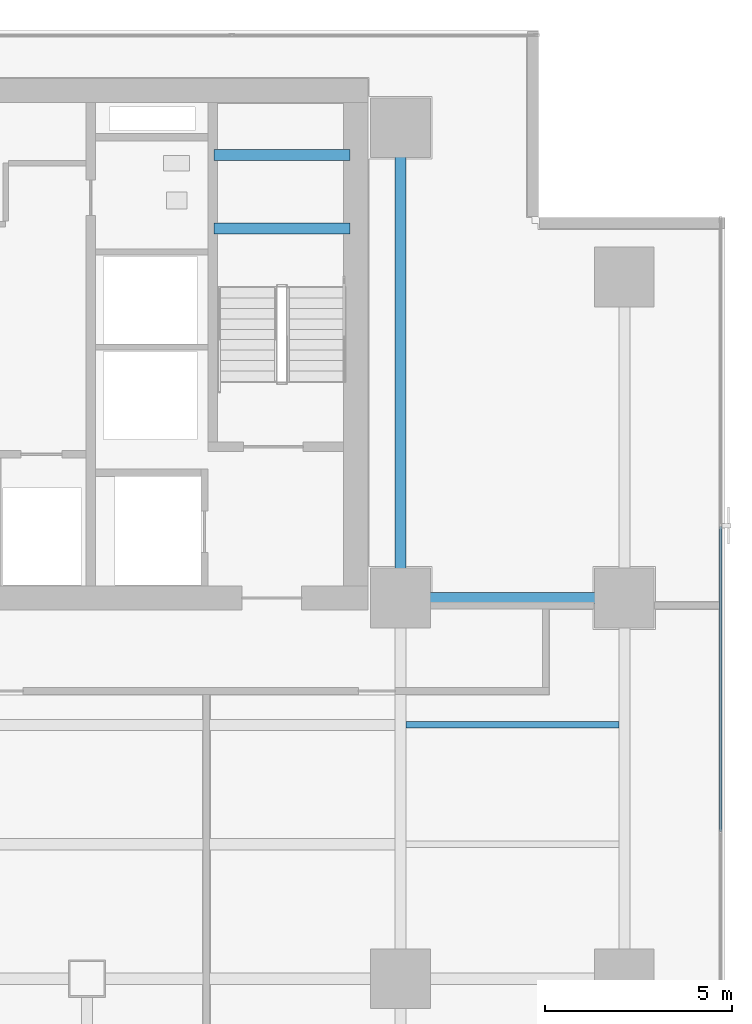
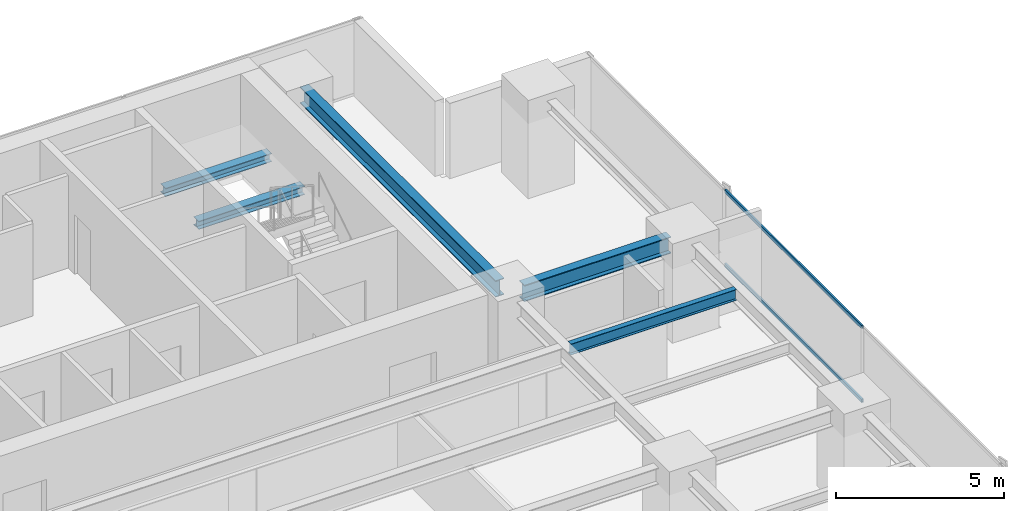
# One storey, part 23 of 37: 5 beams, 2 members, 1 element without a shape of its own.
"""IFC4 building model written with IfcOpenShell, lengths in metres."""

from ifc_helpers import new_model, si_unit, direction, frame, origin, origin_2d, place, context, subcontext, project, spatial, hollow_rectangle, i_section, extrude, source, transform, mapped, material, layer, layer_set, material_profile, profile_set, type_object, element, aggregate, save


model = new_model("IFC4")

# Units and contexts
model_context = context("Model", 3, precision=1e-05, world=origin(), true_north=direction((0.0, 1.0)))
body_context = subcontext(model_context, "Body", "Model", "MODEL_VIEW")
ifc_project = project(units=[si_unit("LENGTHUNIT", "METRE"), si_unit("AREAUNIT", "SQUARE_METRE"), si_unit("VOLUMEUNIT", "CUBIC_METRE"), si_unit("PLANEANGLEUNIT", "RADIAN"), si_unit("MASSUNIT", "GRAM", prefix="KILO")], contexts=[model_context])

# Site, building, storey
site_placement = place(None, origin())
site = spatial("IfcSite", under=ifc_project, at=site_placement, CompositionType="ELEMENT")
building_placement = place(site_placement, origin())
building = spatial("IfcBuilding", under=site, at=building_placement, Name="Sumidabori Civic Tower", CompositionType="ELEMENT")
storey_placement = place(building_placement, frame((0.0, 0.0, 117.199951171875)))
storey = spatial("IfcBuildingStorey", under=building, at=storey_placement, Name="L30", CompositionType="ELEMENT", Elevation=117.199951171875)

# Beams
ifc_material_1 = material(Name="Steel SN490", Category="steel")
ifc_material_profile_1 = material_profile(ifc_material_1, i_section(OverallWidth=0.300048828125, OverallDepth=0.300048828125, WebThickness=0.010986328125, FlangeThickness=0.01904296875, at=origin_2d()), Name="HE 300 B")
ifc_profile_set_1 = profile_set([ifc_material_profile_1], Name="Steel SN490")
beam_type_1 = type_object("IfcBeamType", Name="BM-LDG-300", PredefinedType="BEAM", material=ifc_profile_set_1)
shared_shape_1 = source(origin(), body_context, "Body", "SweptSolid", [
    extrude(i_section(OverallWidth=0.300048828125, OverallDepth=0.300048828125, WebThickness=0.010986328125, FlangeThickness=0.01904296875, at=origin_2d()), origin(), (0.0, 0.0, 1.0), 3.64990234375),
])
for number, where, z_axis, x_axis, name in (
    (1, (11.800048828125, 20.09765625, 1.449951171875), (1.0, 0.0, 0.0), (0.0, 1.0, 0.0), "Stair ST-2 Landing Support Beam L30-1A"),
    (2, (11.800048828125, 22.069580078125, 1.449951171875), (1.0, 0.0, 0.0), (0.0, 1.0, 0.0), "Stair ST-2 Landing Trimmer Beam L30-1B"),
):
    element("IfcBeam", number, at=place(storey_placement, frame(where, z_axis=z_axis, x_axis=x_axis)), inside=storey, type_object=beam_type_1, Name=name, PredefinedType="BEAM", context=body_context, shape_type="MappedRepresentation", body=[
        mapped(shared_shape_1, transform((0.0, 0.0, 0.0), x_axis=(1.0, 0.0, 0.0), y_axis=(0.0, 1.0, 0.0), z_axis=(0.0, 0.0, 1.0), scale=1.0)),
    ])
ifc_material_profile_2 = material_profile(ifc_material_1, i_section(OverallWidth=0.300048828125, OverallDepth=0.60009765625, WebThickness=0.015380859375, FlangeThickness=0.030029296875, at=origin_2d()), Name="HE 600 B")
ifc_profile_set_2 = profile_set([ifc_material_profile_2], Name="Steel SN490")
beam_type_2 = type_object("IfcBeamType", Name="BM-GIRD-600", PredefinedType="BEAM", material=ifc_profile_set_2)
shared_shape_2 = source(origin(), body_context, "Body", "SweptSolid", [
    extrude(i_section(OverallWidth=0.300048828125, OverallDepth=0.60009765625, WebThickness=0.015380859375, FlangeThickness=0.030029296875, at=origin_2d()), origin(), (0.0, 0.0, 1.0), 5.0400390625),
])
beam_1_placement = place(storey_placement, frame((17.280029296875, 10.199951171875, 3.06005859375), z_axis=(1.0, 0.0, 0.0), x_axis=(0.0, 1.0, 0.0)))
element("IfcBeam", 3, at=beam_1_placement, inside=storey, type_object=beam_type_2, Name="Primary Girder L30 GX-20", PredefinedType="BEAM", context=body_context, shape_type="MappedRepresentation", body=[
    mapped(shared_shape_2, transform((0.0, 0.0, 0.0), x_axis=(1.0, 0.0, 0.0), y_axis=(0.0, 1.0, 0.0), z_axis=(0.0, 0.0, 1.0), scale=1.0)),
])
shared_shape_3 = source(origin(), body_context, "Body", "SweptSolid", [
    extrude(i_section(OverallWidth=0.300048828125, OverallDepth=0.60009765625, WebThickness=0.015380859375, FlangeThickness=0.030029296875, at=origin_2d()), origin(), (0.0, 0.0, 1.0), 11.64013671875),
])
beam_2_placement = place(storey_placement, frame((16.800048828125, 10.679931640625, 3.06005859375), z_axis=(0.0, 1.0, 0.0), x_axis=(-1.0, 0.0, 0.0)))
element("IfcBeam", 4, at=beam_2_placement, inside=storey, type_object=beam_type_2, Name="Primary Girder L30 GY-38", PredefinedType="BEAM", context=body_context, shape_type="MappedRepresentation", body=[
    mapped(shared_shape_3, transform((0.0, 0.0, 0.0), x_axis=(1.0, 0.0, 0.0), y_axis=(0.0, 1.0, 0.0), z_axis=(0.0, 0.0, 1.0), scale=1.0)),
])
ifc_material_profile_3 = material_profile(ifc_material_1, i_section(OverallWidth=0.179931640625, OverallDepth=0.39990234375, WebThickness=0.008544921875, FlangeThickness=0.013427734375, at=origin_2d()), Name="IPE 400")
ifc_profile_set_3 = profile_set([ifc_material_profile_3], Name="Steel SN490")
beam_type_3 = type_object("IfcBeamType", Name="BM-JST-400", PredefinedType="JOIST", material=ifc_profile_set_3)
shared_shape_4 = source(origin(), body_context, "Body", "SweptSolid", [
    extrude(i_section(OverallWidth=0.179931640625, OverallDepth=0.39990234375, WebThickness=0.008544921875, FlangeThickness=0.013427734375, at=origin_2d()), origin(), (0.0, 0.0, 1.0), 5.699951171875),
])
beam_3_placement = place(storey_placement, frame((16.949951171875, 6.800048828125, 3.16015625), z_axis=(1.0, 0.0, 0.0), x_axis=(0.0, 1.0, 0.0)))
element("IfcBeam", 5, at=beam_3_placement, inside=storey, type_object=beam_type_3, Name="Outer Bay Floor Joist L30 JSTO-50", PredefinedType="JOIST", context=body_context, shape_type="MappedRepresentation", body=[
    mapped(shared_shape_4, transform((0.0, 0.0, 0.0), x_axis=(1.0, 0.0, 0.0), y_axis=(0.0, 1.0, 0.0), z_axis=(0.0, 0.0, 1.0), scale=1.0)),
])

# Curtain wall, members
ifc_material_2 = material(Name="Anodised Bronze Aluminium AW-6063-T6", Category="aluminium")
ifc_layer = layer(ifc_material_2, 0.179931640625, Name="Anodised Bronze Aluminium AW-6063-T6")
ifc_layer_set = layer_set([ifc_layer], Name="Anodised Bronze Aluminium AW-6063-T6")
curtain_wall_type = type_object("IfcCurtainWallType", Name="CW-SYS-3", PredefinedType="NOTDEFINED", material=ifc_layer_set)
curtain_wall_placement = place(storey_placement, origin())
curtain_wall = element("IfcCurtainWall", 6, at=curtain_wall_placement, inside=storey, type_object=curtain_wall_type, Name="Curtain Wall CW:L30:R04", PredefinedType="NOTDEFINED")
ifc_material_profile_4 = material_profile(ifc_material_2, hollow_rectangle(XDim=0.06005859375, YDim=0.1298828125, WallThickness=0.0048828125, at=origin_2d()), Name="ALU TRANSOM 130x60")
ifc_profile_set_4 = profile_set([ifc_material_profile_4], Name="Anodised Bronze Aluminium AW-6063-T6")
member_type = type_object("IfcMemberType", Name="CW-TRN-130", PredefinedType="USERDEFINED", material=ifc_profile_set_4)
shared_shape_5 = source(origin(), body_context, "Body", "SweptSolid", [
    extrude(hollow_rectangle(XDim=0.06005859375, YDim=0.1298828125, WallThickness=0.0048828125, at=origin_2d()), origin(), (0.0, 0.0, 1.0), 8.1630859375),
])
member_1_placement = place(storey_placement, frame((25.3798828125, 3.946533203125, 0.030029296875), z_axis=(0.0, 1.0, 0.0), x_axis=(-1.0, 0.0, 0.0)))
member_1 = element("IfcMember", 7, at=member_1_placement, type_object=member_type, Name="CW-3 transom 4.1", ObjectType="TRANSOM", PredefinedType="USERDEFINED", context=body_context, shape_type="MappedRepresentation", body=[
    mapped(shared_shape_5, transform((0.0, 0.0, 0.0), x_axis=(1.0, 0.0, 0.0), y_axis=(0.0, 1.0, 0.0), z_axis=(0.0, 0.0, 1.0), scale=1.0)),
])
member_2_placement = place(storey_placement, frame((25.3798828125, 3.946533203125, 2.7099609375), z_axis=(0.0, 1.0, 0.0), x_axis=(-1.0, 0.0, 0.0)))
member_2 = element("IfcMember", 8, at=member_2_placement, type_object=member_type, Name="CW-3 transom 4.2", ObjectType="TRANSOM", PredefinedType="USERDEFINED", context=body_context, shape_type="MappedRepresentation", body=[
    mapped(shared_shape_5, transform((0.0, 0.0, 0.0), x_axis=(1.0, 0.0, 0.0), y_axis=(0.0, 1.0, 0.0), z_axis=(0.0, 0.0, 1.0), scale=1.0)),
])
aggregate(curtain_wall, [member_1, member_2])

save(model, "model.ifc")
